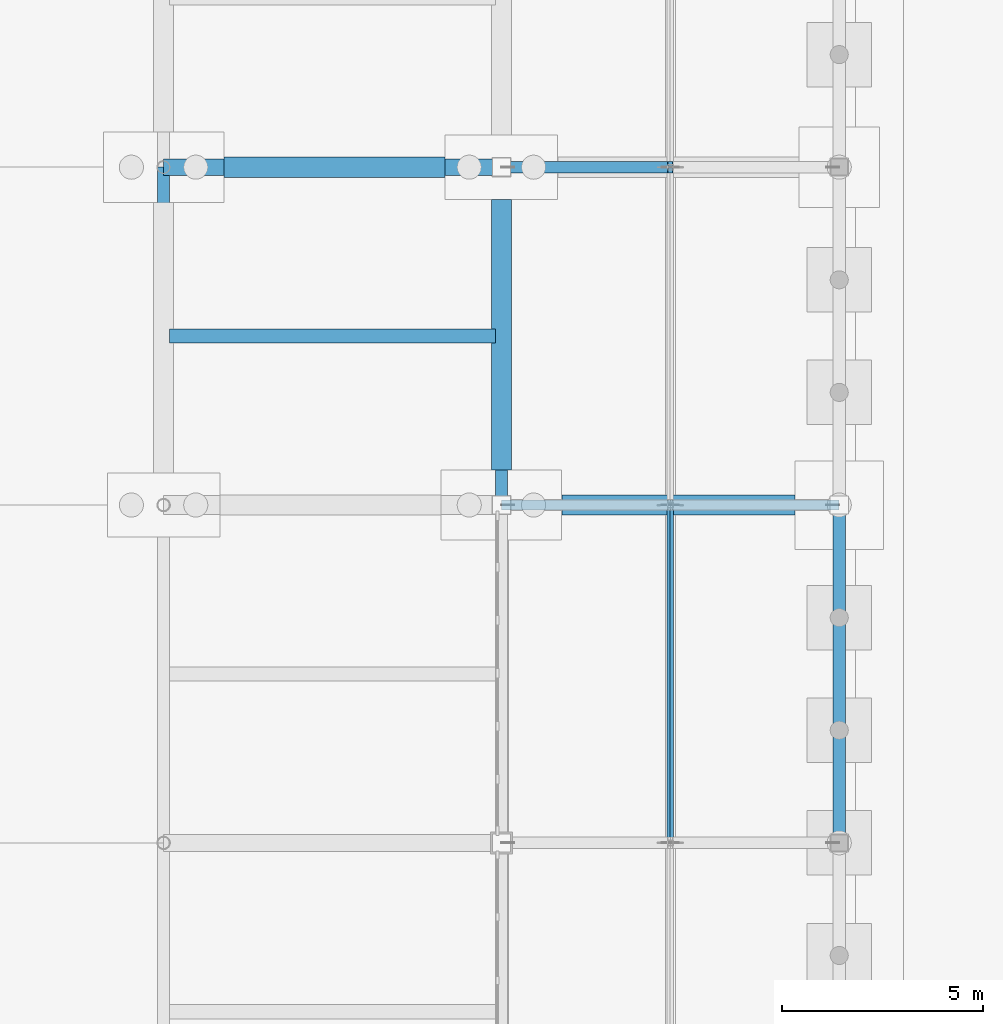
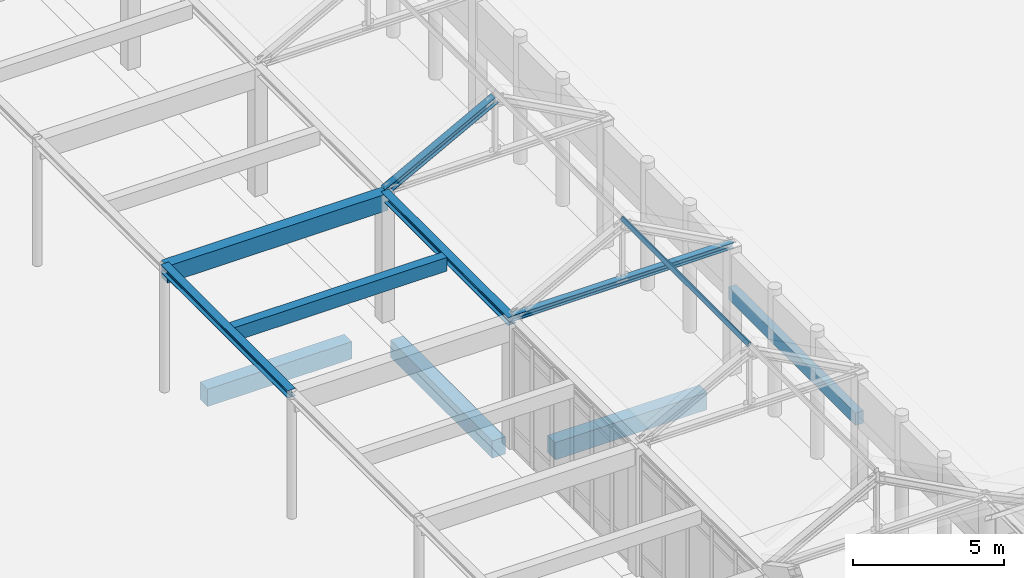
# One storey, part 42 of 143: 8 beams, 3 members.
"""IFC4 building model written with IfcOpenShell, lengths in metres."""

from ifc_helpers import new_model, si_unit, direction, frame, origin, origin_2d, place, context, subcontext, project, spatial, rectangle, hollow_rectangle, i_section, extrude, material, material_profile, profile_set, type_object, element, save


model = new_model("IFC4")

# Units and contexts
model_context = context("Model", 3, precision=1e-05, world=origin(), true_north=direction((0.0, 1.0)))
body_context = subcontext(model_context, "Body", "Model", "MODEL_VIEW")
ifc_project = project(units=[si_unit("LENGTHUNIT", "METRE"), si_unit("AREAUNIT", "SQUARE_METRE"), si_unit("VOLUMEUNIT", "CUBIC_METRE"), si_unit("PLANEANGLEUNIT", "RADIAN"), si_unit("MASSUNIT", "GRAM", prefix="KILO")], contexts=[model_context])

# Site, building, storey
site_placement = place(None, origin())
site = spatial("IfcSite", under=ifc_project, at=site_placement, CompositionType="ELEMENT")
building_placement = place(site_placement, origin())
building = spatial("IfcBuilding", under=site, at=building_placement, Name="Kveldsbrygga Polytechnic", CompositionType="ELEMENT")
storey_placement = place(building_placement, origin())
storey = spatial("IfcBuildingStorey", under=building, at=storey_placement, Name="L00", CompositionType="ELEMENT", Elevation=0.0)

# Beams
ifc_material_1 = material(Name="Concrete C35/45", Category="concrete")
ifc_material_profile_1 = material_profile(ifc_material_1, rectangle(XDim=0.419921875, YDim=0.679931640625, at=origin_2d()), Name="RC 420x680")
ifc_profile_set_1 = profile_set([ifc_material_profile_1], Name="Concrete C35/45")
beam_type_1 = type_object("IfcBeamType", Name="BM-RC-420x680", PredefinedType="BEAM", material=ifc_profile_set_1)
beam_1_placement = place(storey_placement, frame((67.199951171875, 58.800048828125, 4.800048828125), z_axis=(1.0, 0.0, 0.0), x_axis=(0.0, 1.0, 0.0)))
element("IfcBeam", 1, at=beam_1_placement, inside=storey, type_object=beam_type_1, Name="Primary Beam BMX-L00-08to09-07", PredefinedType="BEAM", context=body_context, shape_type="SweptSolid", body=[
    extrude(rectangle(XDim=0.419921875, YDim=0.679931640625, at=origin_2d()), origin(), (0.0, 0.0, 1.0), 8.400146484375),
])
ifc_material_2 = material(Name="Steel S355", Category="steel")
ifc_material_profile_2 = material_profile(ifc_material_2, i_section(OverallWidth=0.300048828125, OverallDepth=0.31005859375, WebThickness=0.009033203125, FlangeThickness=0.015380859375, FilletRadius=0.027099609375, at=origin_2d()), Name="HEA 320")
ifc_profile_set_2 = profile_set([ifc_material_profile_2], Name="Steel S355")
beam_type_2 = type_object("IfcBeamType", Name="BM-STL-HEA320", PredefinedType="BEAM", material=ifc_profile_set_2)
for number, where, z_axis, x_axis, name in (
    (2, (67.199951171875, 50.39990234375, 4.985107421875), (0.0, 1.0, 0.0), (-1.0, 0.0, 0.0), "Primary Beam BMY-L00-08-06to07"),
    (3, (75.60009765625, 50.39990234375, 4.985107421875), (0.0, 1.0, 0.0), (-1.0, 0.0, 0.0), "Primary Beam BMY-L00-09-06to07"),
):
    element("IfcBeam", number, at=place(storey_placement, frame(where, z_axis=z_axis, x_axis=x_axis)), inside=storey, type_object=beam_type_2, Name=name, PredefinedType="BEAM", context=body_context, shape_type="SweptSolid", body=[
        extrude(i_section(OverallWidth=0.300048828125, OverallDepth=0.31005859375, WebThickness=0.009033203125, FlangeThickness=0.015380859375, FilletRadius=0.027099609375, at=origin_2d()), origin(), (0.0, 0.0, 1.0), 8.400146484375),
    ])
ifc_material_profile_3 = material_profile(ifc_material_1, rectangle(XDim=0.5, YDim=0.699951171875, at=origin_2d()), Name="RC 500x700")
ifc_profile_set_3 = profile_set([ifc_material_profile_3], Name="Concrete C35/45")
beam_type_3 = type_object("IfcBeamType", Name="BM-TIE-500x700", PredefinedType="BEAM", material=ifc_profile_set_3)
beam_2_placement = place(storey_placement, frame((68.701904296875, 58.800048828125, -0.669921875), z_axis=(1.0, 0.0, 0.0), x_axis=(0.0, 1.0, 0.0)))
element("IfcBeam", 4, at=beam_2_placement, inside=storey, type_object=beam_type_3, Name="Ground Tie Beam GB-L00-X-08-07", PredefinedType="BEAM", context=body_context, shape_type="SweptSolid", body=[
    extrude(rectangle(XDim=0.5, YDim=0.699951171875, at=origin_2d()), origin(), (0.0, 0.0, 1.0), 5.49609375),
])
beam_3_placement = place(storey_placement, frame((77.10205078125, 50.39990234375, -0.669921875), z_axis=(1.0, 0.0, 0.0), x_axis=(0.0, 1.0, 0.0)))
element("IfcBeam", 5, at=beam_3_placement, inside=storey, type_object=beam_type_3, Name="Ground Tie Beam GB-L00-X-09-06", PredefinedType="BEAM", context=body_context, shape_type="SweptSolid", body=[
    extrude(rectangle(XDim=0.5, YDim=0.699951171875, at=origin_2d()), origin(), (0.0, 0.0, 1.0), 5.7958984375),
])
beam_4_placement = place(storey_placement, frame((75.60009765625, 51.277099609375, -0.669921875), z_axis=(0.0, 1.0, 0.0), x_axis=(-1.0, 0.0, 0.0)))
element("IfcBeam", 6, at=beam_4_placement, inside=storey, type_object=beam_type_3, Name="Ground Tie Beam GB-L00-Y-09-06", PredefinedType="BEAM", context=body_context, shape_type="SweptSolid", body=[
    extrude(rectangle(XDim=0.5, YDim=0.699951171875, at=origin_2d()), origin(), (0.0, 0.0, 1.0), 6.720947265625),
])
ifc_material_profile_4 = material_profile(ifc_material_1, rectangle(XDim=0.35009765625, YDim=0.550048828125, at=origin_2d()), Name="RC 350x550")
ifc_profile_set_4 = profile_set([ifc_material_profile_4], Name="Concrete C35/45")
beam_type_4 = type_object("IfcBeamType", Name="JST-RC-350x550", PredefinedType="JOIST", material=ifc_profile_set_4)
beam_5_placement = place(storey_placement, frame((67.35009765625, 54.60009765625, 4.864990234375), z_axis=(1.0, 0.0, 0.0), x_axis=(0.0, 1.0, 0.0)))
element("IfcBeam", 7, at=beam_5_placement, inside=storey, type_object=beam_type_4, Name="Secondary Joist JST-L00-08-06", PredefinedType="JOIST", context=body_context, shape_type="SweptSolid", body=[
    extrude(rectangle(XDim=0.35009765625, YDim=0.550048828125, at=origin_2d()), origin(), (0.0, 0.0, 1.0), 8.099853515625),
])
ifc_material_profile_5 = material_profile(ifc_material_1, rectangle(XDim=0.300048828125, YDim=0.5, at=origin_2d()), Name="RC 300x500")
ifc_profile_set_5 = profile_set([ifc_material_profile_5], Name="Concrete C35/45")
beam_type_5 = type_object("IfcBeamType", Name="LNT-RC-300x500", PredefinedType="LINTEL", material=ifc_profile_set_5)
beam_6_placement = place(storey_placement, frame((84.0, 42.0, 3.199951171875), z_axis=(0.0, 1.0, 0.0), x_axis=(-1.0, 0.0, 0.0)))
element("IfcBeam", 8, at=beam_6_placement, inside=storey, type_object=beam_type_5, Name="Cloister Arcade Arch Lintel Beam BM-ARC-HDR-17", PredefinedType="LINTEL", context=body_context, shape_type="SweptSolid", body=[
    extrude(rectangle(XDim=0.300048828125, YDim=0.5, at=origin_2d()), origin(), (0.0, 0.0, 1.0), 8.39990234375),
])

# Members
ifc_material_profile_6 = material_profile(ifc_material_2, hollow_rectangle(XDim=0.10009765625, YDim=0.14990234375, WallThickness=0.008056640625, at=origin_2d()), Name="RHS 150x100x8.0")
ifc_profile_set_6 = profile_set([ifc_material_profile_6], Name="Steel S355")
member_type_1 = type_object("IfcMemberType", Name="PRL-RHS150", PredefinedType="PURLIN", material=ifc_profile_set_6)
member_1_placement = place(storey_placement, frame((79.800048828125, 42.0, 7.6337890625), z_axis=(0.0, 1.0, 0.0), x_axis=(-0.881479888517, 0.0, 0.472221564671)))
element("IfcMember", 9, at=member_1_placement, inside=storey, type_object=member_type_1, Name="Roof Purlin ARC-EW-PRL-2-1", PredefinedType="PURLIN", context=body_context, shape_type="SweptSolid", body=[
    extrude(hollow_rectangle(XDim=0.10009765625, YDim=0.14990234375, WallThickness=0.008056640625, at=origin_2d()), origin(), (0.0, 0.0, 1.0), 8.39990234375),
])
ifc_material_profile_7 = material_profile(ifc_material_2, i_section(OverallWidth=0.239990234375, OverallDepth=0.239990234375, WebThickness=0.010009765625, FlangeThickness=0.01708984375, FilletRadius=0.02099609375, at=origin_2d()), Name="HEB 240")
ifc_profile_set_7 = profile_set([ifc_material_profile_7], Name="Steel S355")
member_type_2 = type_object("IfcMemberType", Name="TR-BOT-HEB240", PredefinedType="CHORD", material=ifc_profile_set_7)
member_2_placement = place(storey_placement, frame((75.60009765625, 50.39990234375, 5.139892578125), z_axis=(1.0, 0.0, 0.0), x_axis=(0.0, 1.0, 0.0)))
element("IfcMember", 10, at=member_2_placement, inside=storey, type_object=member_type_2, Name="Truss Bottom Chord ARC-EW-T03-BC-1", PredefinedType="CHORD", context=body_context, shape_type="SweptSolid", body=[
    extrude(i_section(OverallWidth=0.239990234375, OverallDepth=0.239990234375, WebThickness=0.010009765625, FlangeThickness=0.01708984375, FilletRadius=0.02099609375, at=origin_2d()), origin(), (0.0, 0.0, 1.0), 8.39990234375),
])
ifc_material_profile_8 = material_profile(ifc_material_2, i_section(OverallWidth=0.280029296875, OverallDepth=0.280029296875, WebThickness=0.010498046875, FlangeThickness=0.01806640625, FilletRadius=0.02392578125, at=origin_2d()), Name="HEB 280")
ifc_profile_set_8 = profile_set([ifc_material_profile_8], Name="Steel S355")
member_type_3 = type_object("IfcMemberType", Name="TR-TOP-HEB280", PredefinedType="CHORD", material=ifc_profile_set_8)
member_3_placement = place(storey_placement, frame((75.60009765625, 58.800048828125, 5.139892578125), z_axis=(0.881477684796, 0.0, 0.472225678258), x_axis=(0.0, 1.0, 0.0)))
element("IfcMember", 11, at=member_3_placement, inside=storey, type_object=member_type_3, Name="Truss Top Chord ARC-EW-T04-TC-1", PredefinedType="CHORD", context=body_context, shape_type="SweptSolid", body=[
    extrude(i_section(OverallWidth=0.280029296875, OverallDepth=0.280029296875, WebThickness=0.010498046875, FlangeThickness=0.01806640625, FilletRadius=0.02392578125, at=origin_2d()), origin(), (0.0, 0.0, 1.0), 4.7646484375),
])

save(model, "model.ifc")
